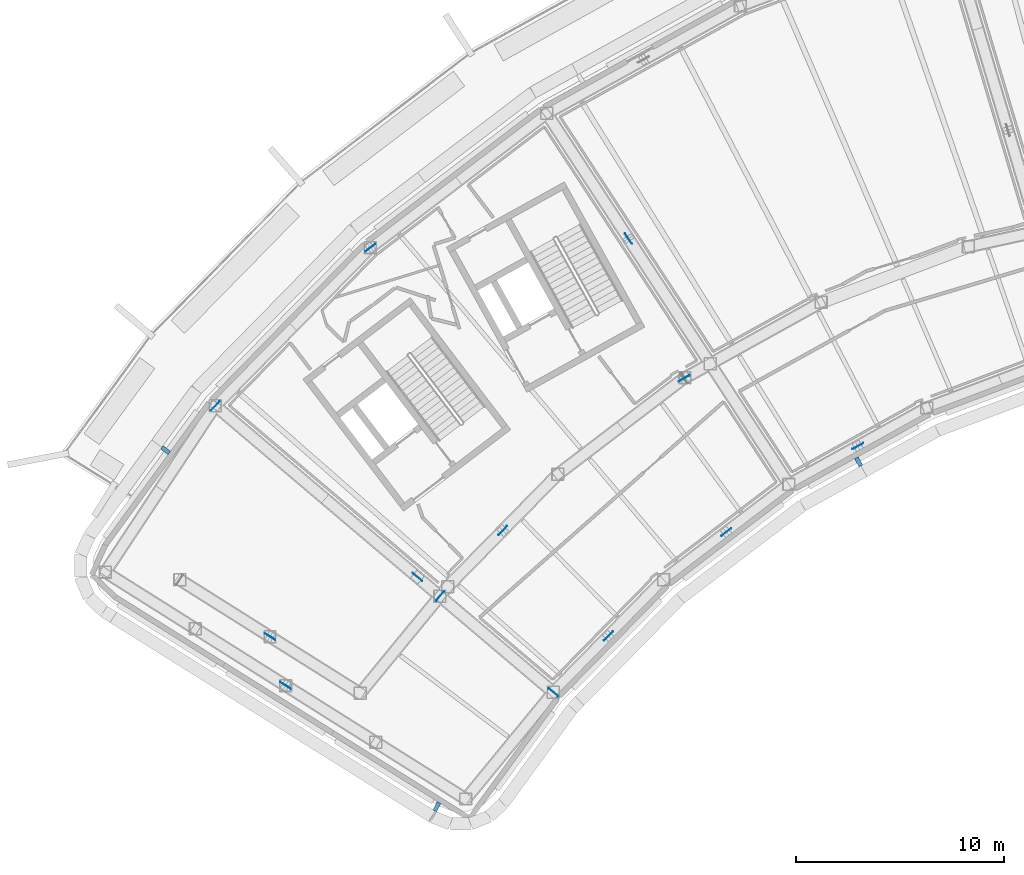
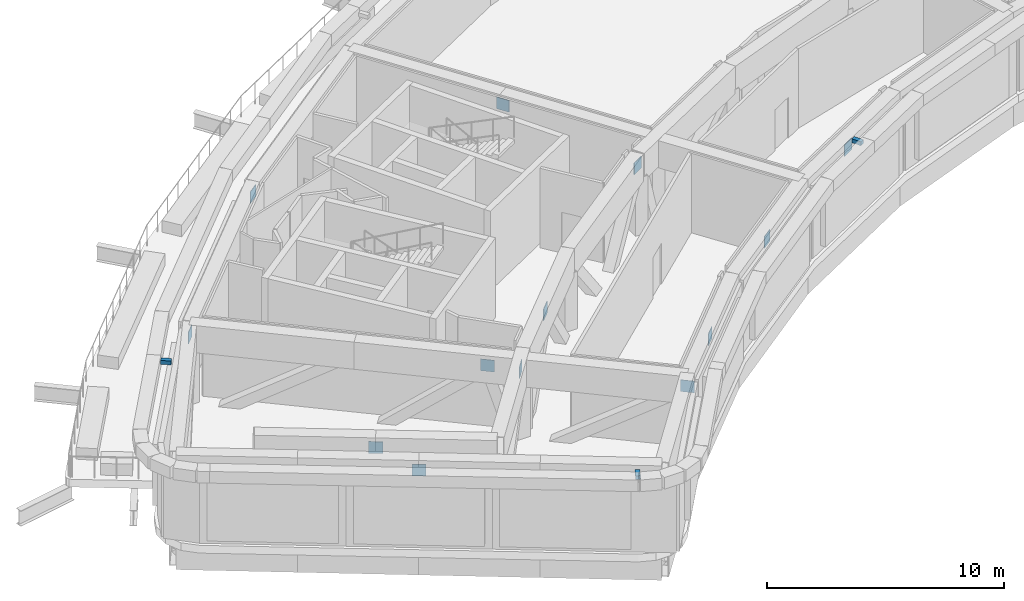
# One storey, part 15 of 24: 16 discrete accessories.
"""IFC4 building model written with IfcOpenShell, lengths in metres."""

from ifc_helpers import new_model, si_unit, direction, frame, origin, origin_2d, place, context, subcontext, project, spatial, rectangle, extrude, material, type_object, element, save


model = new_model("IFC4")

# Units and contexts
model_context = context("Model", 3, precision=1e-05, world=origin(), true_north=direction((0.0, 1.0)))
body_context = subcontext(model_context, "Body", "Model", "MODEL_VIEW")
ifc_project = project(units=[si_unit("LENGTHUNIT", "METRE"), si_unit("AREAUNIT", "SQUARE_METRE"), si_unit("VOLUMEUNIT", "CUBIC_METRE"), si_unit("PLANEANGLEUNIT", "RADIAN"), si_unit("MASSUNIT", "GRAM", prefix="KILO")], contexts=[model_context])

# Site, building, storey
site_placement = place(None, origin())
site = spatial("IfcSite", under=ifc_project, at=site_placement, CompositionType="ELEMENT")
building_placement = place(site_placement, origin())
building = spatial("IfcBuilding", under=site, at=building_placement, Name="Tuul Gate Civic Tower", CompositionType="ELEMENT")
storey_placement = place(building_placement, frame((0.0, 0.0, 243.89990234375)))
storey = spatial("IfcBuildingStorey", under=building, at=storey_placement, Name="Plant and refuge floor 6", CompositionType="ELEMENT", Elevation=243.89990234375)

# Discrete accessories
ifc_material_1 = material(Name="Steel S355", Category="steel")
discrete_accessory_type_1 = type_object("IfcDiscreteAccessoryType", Name="Gusset plate", PredefinedType="BRACKET", material=ifc_material_1)
for number, where, z_axis, x_axis, name in (
    (1, (-25.43017578125, -4.583740234375, 3.102783203125), (0.0, 0.0, 1.0), (-0.546689077234, 0.837335687066, 0.0), "Gusset plate"),
    (2, (-35.59814453125, -20.89990234375, 3.10400390625), (0.0, 0.0, 1.0), (0.762847958519, -0.646577908827, 0.0), "Gusset plate"),
    (3, (-29.047119140625, -26.44970703125, 3.102783203125), (0.0, 0.0, 1.0), (-0.76284784567, 0.646578041969, 0.0), "Gusset plate"),
    (4, (-37.8671875, -5.016845703125, 3.103271484375), (0.0, 0.0, 1.0), (0.79561870498, 0.605797718951, 0.0), "Gusset plate"),
    (5, (-45.34130859375, -12.641845703125, 3.103271484375), (0.0, 0.0, 1.0), (0.700000236809, 0.714142610735, 0.0), "Gusset plate"),
    (6, (-14.3759765625, -14.589599609375, 3.103759765625), (0.0, 0.0, 1.0), (-0.874598044765, -0.484848698146, 0.0), "Gusset plate"),
    (7, (-22.7451171875, -11.315673828125, 3.104248046875), (0.0, 0.0, 1.0), (0.874598044765, 0.484848698146, 0.0), "Gusset plate"),
    (8, (-20.716064453125, -18.7294921875, 3.103759765625), (0.0, 0.0, 1.0), (-0.795616135693, -0.605801093284, 0.0), "Gusset plate"),
    (9, (-26.39306640625, -23.739501953125, 3.103759765625), (0.0, 0.0, 1.0), (-0.700023993072, -0.714119324149, 0.0), "Gusset plate"),
    (10, (-31.48388671875, -18.6484375, 3.103759765625), (0.0, 0.0, 1.0), (-0.700023993072, -0.714119324149, 0.0), "Gusset plate"),
    (11, (-34.515380859375, -21.8154296875, 3.10400390625), (0.0, 0.0, 1.0), (-0.634399544235, -0.773005315813, 0.0), "Gusset plate"),
    (12, (-41.955078125, -26.123046875, 3.103271484375), (0.0, 0.0, 1.0), (-0.84627513954, 0.532746082291, 0.0), "Gusset plate"),
    (13, (-42.7041015625, -23.76708984375, 3.103271484375), (0.0, 0.0, 1.0), (0.84627513954, -0.532746082291, 0.0), "Gusset plate"),
):
    element("IfcDiscreteAccessory", number, at=place(storey_placement, frame(where, z_axis=z_axis, x_axis=x_axis)), inside=storey, type_object=discrete_accessory_type_1, Name=name, PredefinedType="BRACKET", context=body_context, shape_type="SweptSolid", body=[
        extrude(rectangle(XDim=0.60009765625, YDim=0.030029296875, at=origin_2d()), origin(), (0.0, 0.0, 1.0), 0.60009765625),
    ])
ifc_material_2 = material(Name="Stainless steel", Category="steel")
discrete_accessory_type_2 = type_object("IfcDiscreteAccessoryType", Name="Screen bracket", PredefinedType="BRACKET", material=ifc_material_2)
discrete_accessory_1_placement = place(storey_placement, frame((-47.737548828125, -14.77880859375, 4.05029296875), z_axis=(0.0, 0.0, 1.0), x_axis=(-0.802953773948, 0.596041304695, 0.0)))
element("IfcDiscreteAccessory", 14, at=discrete_accessory_1_placement, inside=storey, type_object=discrete_accessory_type_2, Name="Screen bracket 16", PredefinedType="BRACKET", context=body_context, shape_type="SweptSolid", body=[
    extrude(rectangle(XDim=0.449951171875, YDim=0.199951171875, at=origin_2d()), origin(), (0.0, 0.0, 1.0), 0.199951171875),
])
discrete_accessory_2_placement = place(storey_placement, frame((-34.661376953125, -31.96142578125, 4.05029296875), z_axis=(0.0, 0.0, 1.0), x_axis=(-0.44885740742, -0.893603395139, 0.0)))
element("IfcDiscreteAccessory", 15, at=discrete_accessory_2_placement, inside=storey, type_object=discrete_accessory_type_2, Name="Screen bracket 19", PredefinedType="BRACKET", context=body_context, shape_type="SweptSolid", body=[
    extrude(rectangle(XDim=0.451904296875, YDim=0.199951171875, at=origin_2d()), origin(), (0.0, 0.0, 1.0), 0.199951171875),
])
discrete_accessory_3_placement = place(storey_placement, frame((-14.340087890625, -15.341796875, 4.05029296875), z_axis=(0.0, 0.0, 1.0), x_axis=(0.490447519859, -0.871470728289, 0.0)))
element("IfcDiscreteAccessory", 16, at=discrete_accessory_3_placement, inside=storey, type_object=discrete_accessory_type_2, Name="Screen bracket 22", PredefinedType="BRACKET", context=body_context, shape_type="SweptSolid", body=[
    extrude(rectangle(XDim=0.449951171875, YDim=0.199951171875, at=origin_2d()), origin(), (0.0, 0.0, 1.0), 0.199951171875),
])

save(model, "model.ifc")
